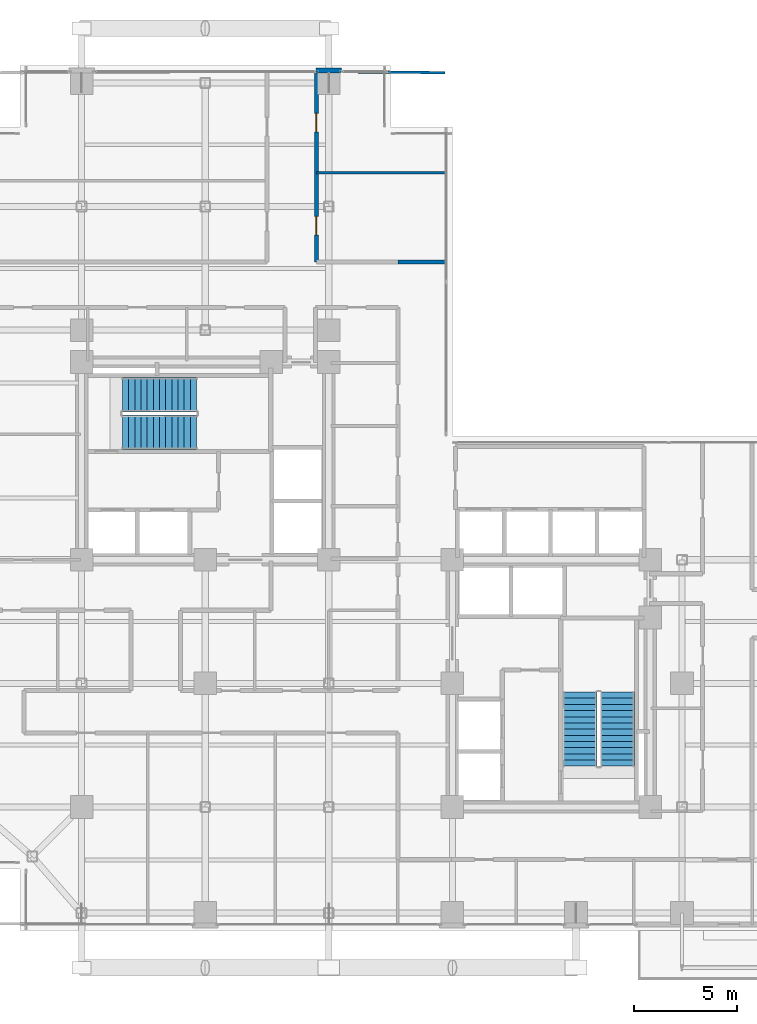
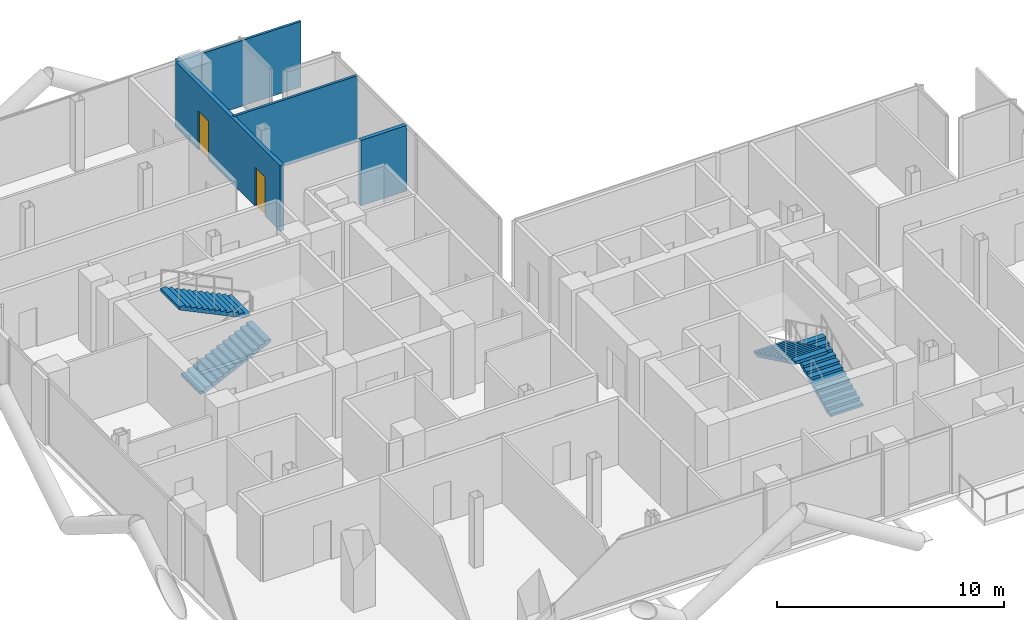
# One storey, part 25 of 28: 5 walls, 4 stair flights, 2 doors, 2 openings, 2 elements without a shape of their own.
"""IFC4 building model written with IfcOpenShell, lengths in metres."""

from ifc_helpers import new_model, si_unit, direction, frame, frame_2d, origin, place, context, subcontext, project, spatial, polyline, rectangle, outline, extrude, material, layer, layer_set, type_object, element, fill, aggregate, save


model = new_model("IFC4")

# Units and contexts
model_context = context("Model", 3, precision=1e-05, world=origin(), true_north=direction((0.0, 1.0)))
body_context = subcontext(model_context, "Body", "Model", "MODEL_VIEW")
ifc_project = project(units=[si_unit("LENGTHUNIT", "METRE"), si_unit("AREAUNIT", "SQUARE_METRE"), si_unit("VOLUMEUNIT", "CUBIC_METRE"), si_unit("PLANEANGLEUNIT", "RADIAN"), si_unit("MASSUNIT", "GRAM", prefix="KILO"), si_unit("THERMODYNAMICTEMPERATUREUNIT", "KELVIN"), si_unit("POWERUNIT", "WATT")], contexts=[model_context])

# Site, building, storey
site_placement = place(None, origin())
site = spatial("IfcSite", under=ifc_project, at=site_placement, CompositionType="ELEMENT")
building_placement = place(site_placement, origin())
building = spatial("IfcBuilding", under=site, at=building_placement, Name="Svarakhadi Broadcast Tower", CompositionType="ELEMENT")
storey_placement = place(building_placement, frame((0.0, 0.0, 149.39990234375)))
storey = spatial("IfcBuildingStorey", under=building, at=storey_placement, Name="L36", CompositionType="ELEMENT", Elevation=149.39990234375)

# Wall
ifc_material_1 = material(Name="Concrete C40/50 (IS 456 M50)", Category="concrete")
ifc_layer_1 = layer(ifc_material_1, 0.239990234375)
ifc_layer_set_1 = layer_set([ifc_layer_1], Name="Concrete C40/50 (IS 456 M50)")
wall_type_1 = type_object("IfcWallType", Name="Wall_Ext_240", PredefinedType="SOLIDWALL", material=ifc_layer_set_1)
wall_1_placement = place(storey_placement, frame((17.385009765625, 41.760009765625, 0.0), z_axis=(0.0, 0.0, 1.0), x_axis=(1.0, 0.0, 0.0)))
element("IfcWall", 1, at=wall_1_placement, inside=storey, type_object=wall_type_1, Name="L36 Perimeter Bronze Spandrel Closure Wall 04", PredefinedType="SOLIDWALL", context=body_context, shape_type="SweptSolid", body=[
    extrude(rectangle(XDim=1.22998046875, YDim=0.239990234375, at=frame_2d((0.614990234375, 0.0))), origin(), (0.0, 0.0, 1.0), 3.525146484375),
])

# Wall, openings, doors
ifc_layer_2 = layer(ifc_material_1, 0.199951171875)
ifc_layer_set_2 = layer_set([ifc_layer_2], Name="Concrete C40/50 (IS 456 M50)")
wall_type_2 = type_object("IfcWallType", Name="Wall_Fire_200", PredefinedType="SOLIDWALL", material=ifc_layer_set_2)
wall_2_placement = place(storey_placement, frame((17.39990234375, 41.699951171875, 0.0), z_axis=(0.0, 0.0, 1.0), x_axis=(0.0, -1.0, 0.0)))
wall_2 = element("IfcWall", 2, at=wall_2_placement, inside=storey, type_object=wall_type_2, Name="L36 Zone 2/3 Corridor Wall", PredefinedType="SOLIDWALL", context=body_context, shape_type="SweptSolid", body=[
    extrude(rectangle(XDim=9.25, YDim=0.199951171875, at=frame_2d((4.625, 0.0))), origin(), (0.0, 0.0, 1.0), 3.525146484375),
])
opening_1_placement = place(wall_2_placement, frame((7.030029296875, 0.0, 0.0)))
opening_1 = element("IfcOpeningElement", 3, at=opening_1_placement, cuts=wall_2, Name="Opening D-15", PredefinedType="OPENING", context=body_context, shape_type="SweptSolid", body=[
    extrude(rectangle(XDim=0.89990234375, YDim=2.10009765625, at=frame_2d((0.449951171875, 1.050048828125))), frame((0.0, 0.10986328125, 0.0), z_axis=(0.0, -1.0, 0.0), x_axis=(1.0, 0.0, 0.0)), (0.0, 0.0, 1.0), 0.219970703125),
])
opening_2_placement = place(wall_2_placement, frame((2.02490234375, 0.0, 0.0)))
opening_2 = element("IfcOpeningElement", 4, at=opening_2_placement, cuts=wall_2, Name="Opening D-15", PredefinedType="OPENING", context=body_context, shape_type="SweptSolid", body=[
    extrude(rectangle(XDim=0.89990234375, YDim=2.10009765625, at=frame_2d((0.449951171875, 1.050048828125))), frame((0.0, 0.10986328125, 0.0), z_axis=(0.0, -1.0, 0.0), x_axis=(1.0, 0.0, 0.0)), (0.0, 0.0, 1.0), 0.219970703125),
])
ifc_material_2 = material(Name="Solid-Core Teak Veneer Acoustic Timber Leaf", Category="wood")
door_type = type_object("IfcDoorType", Name="Door_Int_D15", OperationType="SINGLE_SWING_RIGHT", PredefinedType="DOOR", material=ifc_material_2)
door_1_placement = place(opening_1_placement, origin())
door_1 = element("IfcDoor", 5, at=door_1_placement, inside=storey, type_object=door_type, Name="L36 Executive Producer Office Door", OperationType="SINGLE_SWING_RIGHT", OverallHeight=2.10009765625, OverallWidth=0.89990234375, PredefinedType="DOOR", context=body_context, shape_type="SweptSolid", body=[
    extrude(rectangle(XDim=0.89990234375, YDim=2.10009765625, at=frame_2d((0.449951171875, 1.050048828125))), frame((0.0, 0.02490234375, 0.0), z_axis=(0.0, -1.0, 0.0), x_axis=(1.0, 0.0, 0.0)), (0.0, 0.0, 1.0), 0.050048828125),
])
fill(opening_1, door_1)
door_2_placement = place(opening_2_placement, origin())
door_2 = element("IfcDoor", 6, at=door_2_placement, inside=storey, type_object=door_type, Name="L36 Pantry and Copy Room Door", OperationType="SINGLE_SWING_RIGHT", OverallHeight=2.10009765625, OverallWidth=0.89990234375, PredefinedType="DOOR", context=body_context, shape_type="SweptSolid", body=[
    extrude(rectangle(XDim=0.89990234375, YDim=2.10009765625, at=frame_2d((0.449951171875, 1.050048828125))), frame((0.0, 0.02490234375, 0.0), z_axis=(0.0, -1.0, 0.0), x_axis=(1.0, 0.0, 0.0)), (0.0, 0.0, 1.0), 0.050048828125),
])
fill(opening_2, door_2)

# Walls
wall_3_placement = place(storey_placement, frame((21.35009765625, 32.449951171875, 0.0), z_axis=(0.0, 0.0, 1.0), x_axis=(1.0, 0.0, 0.0)))
element("IfcWall", 7, at=wall_3_placement, inside=storey, type_object=wall_type_2, Name="L36 Zone 2/3 Corridor Wall", PredefinedType="SOLIDWALL", context=body_context, shape_type="SweptSolid", body=[
    extrude(rectangle(XDim=2.349853515625, YDim=0.199951171875, at=frame_2d((1.1748046875, 0.0))), origin(), (0.0, 0.0, 1.0), 3.525146484375),
])
ifc_material_3 = material(Name="Fire-Rated Moisture-Resistant Gypsum Board Partition", Category="gypsum")
ifc_layer_3 = layer(ifc_material_3, 0.125)
ifc_layer_set_3 = layer_set([ifc_layer_3], Name="Fire-Rated Moisture-Resistant Gypsum Board Partition")
wall_type_3 = type_object("IfcWallType", Name="Wall_Part_125", PredefinedType="PARTITIONING", material=ifc_layer_set_3)
wall_4_placement = place(storey_placement, frame((17.39990234375, 36.800048828125, 0.0), z_axis=(0.0, 0.0, 1.0), x_axis=(1.0, 0.0, 0.0)))
element("IfcWall", 8, at=wall_4_placement, inside=storey, type_object=wall_type_3, Name="L36 Executive Producer Office Wall", PredefinedType="PARTITIONING", context=body_context, shape_type="SweptSolid", body=[
    extrude(rectangle(XDim=6.300048828125, YDim=0.125, at=frame_2d((3.14990234375, 0.0))), origin(), (0.0, 0.0, 1.0), 3.525146484375),
])
wall_5_placement = place(storey_placement, frame((18.614990234375, 41.690185546875, 0.0), z_axis=(0.0, 0.0, 1.0), x_axis=(0.99996799533, -0.008000519771, 0.0)))
element("IfcWall", 9, at=wall_5_placement, inside=storey, type_object=wall_type_3, Name="L36 Pantry and Copy Room Wall", PredefinedType="PARTITIONING", context=body_context, shape_type="SweptSolid", body=[
    extrude(rectangle(XDim=5.03515625, YDim=0.125, at=frame_2d((2.517578125, 0.0))), origin(), (0.0, 0.0, 1.0), 3.525146484375),
])

# Stair, stair flights
stair_type = type_object("IfcStairType", Name="Stair_Exit_Core", PredefinedType="HALF_TURN_STAIR", material=ifc_material_1)
stair_1_placement = place(storey_placement, origin())
stair_1 = element("IfcStair", 10, at=stair_1_placement, inside=storey, type_object=stair_type, Name="L36 West Core Protected Exit Stair ST-01", PredefinedType="HALF_TURN_STAIR")
stair_flight_type = type_object("IfcStairFlightType", Name="Flight_RC_1680", PredefinedType="STRAIGHT", material=ifc_material_1)
stair_flight_1_placement = place(storey_placement, frame((7.97998046875, 24.18994140625, 0.0), z_axis=(0.0, 0.0, 1.0), x_axis=(1.0, 0.0, 0.0)))
stair_flight_1 = element("IfcStairFlight", 11, at=stair_flight_1_placement, type_object=stair_flight_type, Name="ST-01 flight 1", NumberOfRisers=13, NumberOfTreads=12, PredefinedType="STRAIGHT", RiserHeight=0.144230769, TreadLength=0.3, context=body_context, shape_type="SweptSolid", body=[
    extrude(outline(polyline([(0.0, 0.0), (0.0, 0.144287109375), (0.300048828125, 0.144287109375), (0.300048828125, 0.28857421875), (0.60009765625, 0.28857421875), (0.60009765625, 0.4326171875), (0.89990234375, 0.4326171875), (0.89990234375, 0.576904296875), (1.199951171875, 0.576904296875), (1.199951171875, 0.72119140625), (1.5, 0.72119140625), (1.5, 0.865478515625), (1.800048828125, 0.865478515625), (1.800048828125, 1.009521484375), (2.10009765625, 1.009521484375), (2.10009765625, 1.15380859375), (2.39990234375, 1.15380859375), (2.39990234375, 1.298095703125), (2.699951171875, 1.298095703125), (2.699951171875, 1.4423828125), (3.0, 1.4423828125), (3.0, 1.58642578125), (3.300048828125, 1.58642578125), (3.300048828125, 1.730712890625), (3.60009765625, 1.730712890625), (3.60009765625, 1.875), (3.60009765625, 1.564453125), (0.345947265625, 0.0), (0.0, 0.0)])), frame((0.0, 0.830078125, 0.0), z_axis=(0.0, -1.0, 0.0), x_axis=(1.0, 0.0, 0.0)), (0.0, 0.0, 1.0), 1.659912109375),
])
stair_flight_2_placement = place(storey_placement, frame((11.580078125, 26.010009765625, 1.875), z_axis=(0.0, 0.0, 1.0), x_axis=(-1.0, 0.0, 0.0)))
stair_flight_2 = element("IfcStairFlight", 12, at=stair_flight_2_placement, type_object=stair_flight_type, Name="ST-01 flight 2", NumberOfRisers=13, NumberOfTreads=12, PredefinedType="STRAIGHT", RiserHeight=0.144230769, TreadLength=0.3, context=body_context, shape_type="SweptSolid", body=[
    extrude(outline(polyline([(0.0, 0.0), (0.0, 0.144287109375), (0.300048828125, 0.144287109375), (0.300048828125, 0.28857421875), (0.60009765625, 0.28857421875), (0.60009765625, 0.4326171875), (0.89990234375, 0.4326171875), (0.89990234375, 0.576904296875), (1.199951171875, 0.576904296875), (1.199951171875, 0.72119140625), (1.5, 0.72119140625), (1.5, 0.865478515625), (1.800048828125, 0.865478515625), (1.800048828125, 1.009521484375), (2.10009765625, 1.009521484375), (2.10009765625, 1.15380859375), (2.39990234375, 1.15380859375), (2.39990234375, 1.298095703125), (2.699951171875, 1.298095703125), (2.699951171875, 1.4423828125), (3.0, 1.4423828125), (3.0, 1.58642578125), (3.300048828125, 1.58642578125), (3.300048828125, 1.730712890625), (3.60009765625, 1.730712890625), (3.60009765625, 1.875), (3.60009765625, 1.564453125), (0.345947265625, 0.0), (0.0, 0.0)])), frame((0.0, 0.830078125, 0.0), z_axis=(0.0, -1.0, 0.0), x_axis=(1.0, 0.0, 0.0)), (0.0, 0.0, 1.0), 1.659912109375),
])
aggregate(stair_1, [stair_flight_1, stair_flight_2])

stair_2_placement = place(storey_placement, origin())
stair_2 = element("IfcStair", 13, at=stair_2_placement, inside=storey, type_object=stair_type, Name="L36 East Core Protected Exit Stair ST-02", PredefinedType="HALF_TURN_STAIR")
stair_flight_3_placement = place(storey_placement, frame((32.010009765625, 7.97998046875, 0.0), z_axis=(0.0, 0.0, 1.0), x_axis=(0.0, 1.0, 0.0)))
stair_flight_3 = element("IfcStairFlight", 14, at=stair_flight_3_placement, type_object=stair_flight_type, Name="ST-02 flight 1", NumberOfRisers=13, NumberOfTreads=12, PredefinedType="STRAIGHT", RiserHeight=0.144230769, TreadLength=0.3, context=body_context, shape_type="SweptSolid", body=[
    extrude(outline(polyline([(0.0, 0.0), (0.0, 0.144287109375), (0.300048828125, 0.144287109375), (0.300048828125, 0.28857421875), (0.60009765625, 0.28857421875), (0.60009765625, 0.4326171875), (0.89990234375, 0.4326171875), (0.89990234375, 0.576904296875), (1.199951171875, 0.576904296875), (1.199951171875, 0.72119140625), (1.5, 0.72119140625), (1.5, 0.865478515625), (1.800048828125, 0.865478515625), (1.800048828125, 1.009521484375), (2.10009765625, 1.009521484375), (2.10009765625, 1.15380859375), (2.39990234375, 1.15380859375), (2.39990234375, 1.298095703125), (2.699951171875, 1.298095703125), (2.699951171875, 1.4423828125), (3.0, 1.4423828125), (3.0, 1.58642578125), (3.300048828125, 1.58642578125), (3.300048828125, 1.730712890625), (3.60009765625, 1.730712890625), (3.60009765625, 1.875), (3.60009765625, 1.564453125), (0.345947265625, 0.0), (0.0, 0.0)])), frame((0.0, 0.830078125, 0.0), z_axis=(0.0, -1.0, 0.0), x_axis=(1.0, 0.0, 0.0)), (0.0, 0.0, 1.0), 1.659912109375),
])
stair_flight_4_placement = place(storey_placement, frame((30.18994140625, 11.580078125, 1.875), z_axis=(0.0, 0.0, 1.0), x_axis=(0.0, -1.0, 0.0)))
stair_flight_4 = element("IfcStairFlight", 15, at=stair_flight_4_placement, type_object=stair_flight_type, Name="ST-02 flight 2", NumberOfRisers=13, NumberOfTreads=12, PredefinedType="STRAIGHT", RiserHeight=0.144230769, TreadLength=0.3, context=body_context, shape_type="SweptSolid", body=[
    extrude(outline(polyline([(0.0, 0.0), (0.0, 0.144287109375), (0.300048828125, 0.144287109375), (0.300048828125, 0.28857421875), (0.60009765625, 0.28857421875), (0.60009765625, 0.4326171875), (0.89990234375, 0.4326171875), (0.89990234375, 0.576904296875), (1.199951171875, 0.576904296875), (1.199951171875, 0.72119140625), (1.5, 0.72119140625), (1.5, 0.865478515625), (1.800048828125, 0.865478515625), (1.800048828125, 1.009521484375), (2.10009765625, 1.009521484375), (2.10009765625, 1.15380859375), (2.39990234375, 1.15380859375), (2.39990234375, 1.298095703125), (2.699951171875, 1.298095703125), (2.699951171875, 1.4423828125), (3.0, 1.4423828125), (3.0, 1.58642578125), (3.300048828125, 1.58642578125), (3.300048828125, 1.730712890625), (3.60009765625, 1.730712890625), (3.60009765625, 1.875), (3.60009765625, 1.564453125), (0.345947265625, 0.0), (0.0, 0.0)])), frame((0.0, 0.830078125, 0.0), z_axis=(0.0, -1.0, 0.0), x_axis=(1.0, 0.0, 0.0)), (0.0, 0.0, 1.0), 1.659912109375),
])
aggregate(stair_2, [stair_flight_3, stair_flight_4])

save(model, "model.ifc")
